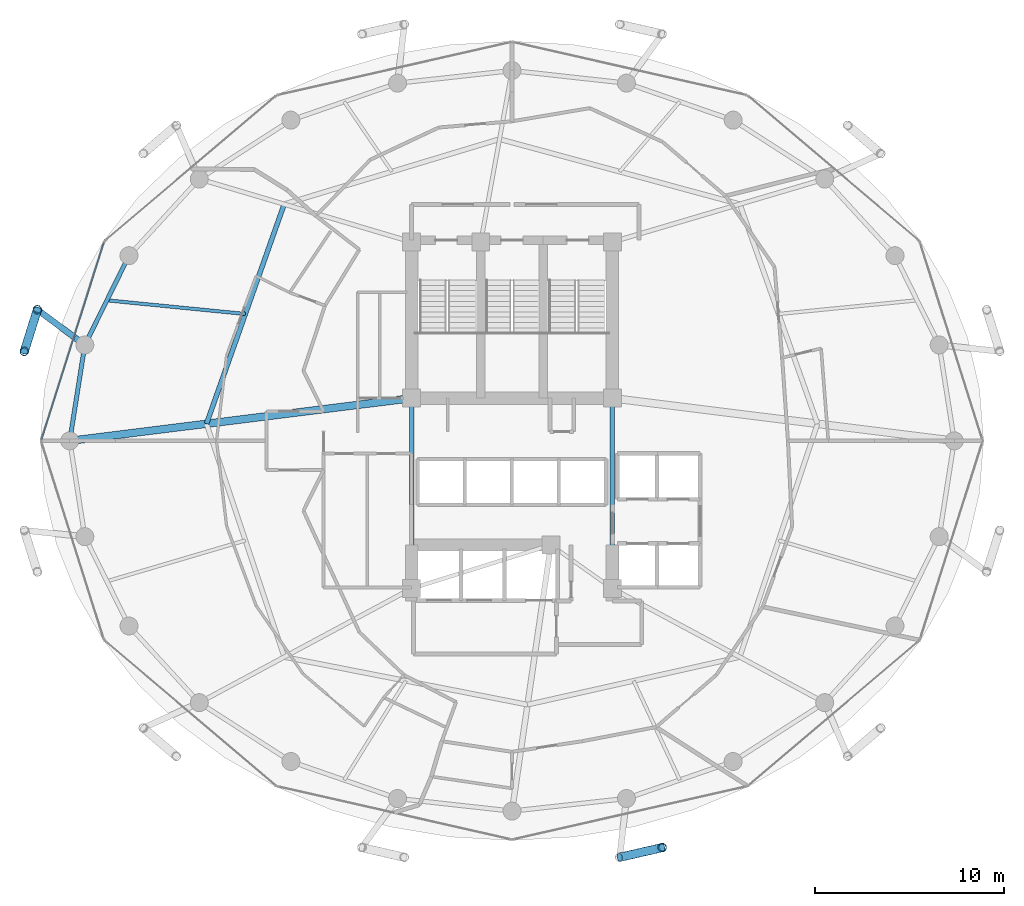
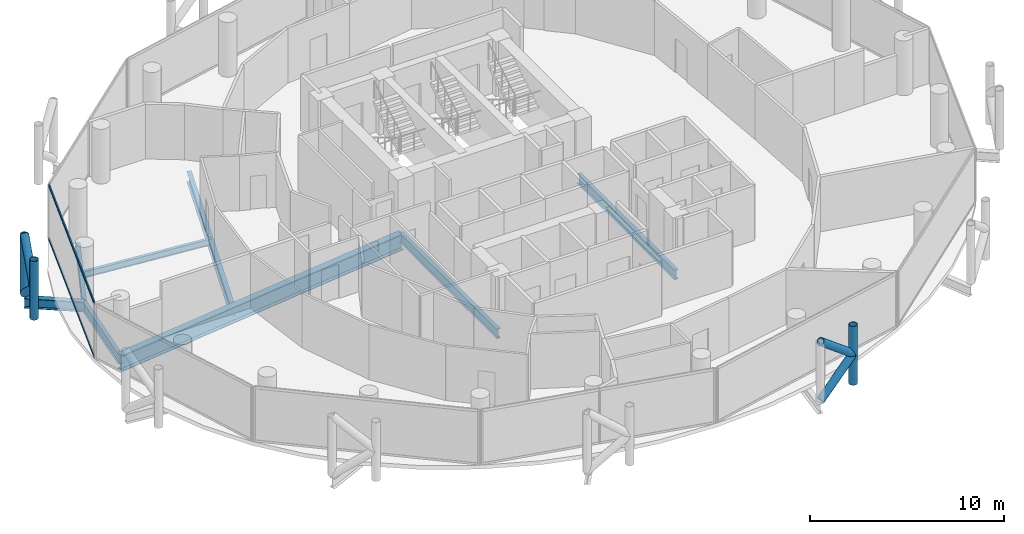
# One storey, part 7 of 26: 9 members, 8 beams, 1 element without a shape of its own.
"""IFC4 building model written with IfcOpenShell, lengths in metres."""

import ifcopenshell
import ifcopenshell.guid

model = None  # the IFC model being written
_history = None  # IfcOwnerHistory: only IFC2X3 demands one
_inside = {}  # id of a spatial element -> (the spatial element, [elements in it])
_under = {}  # id of a project, library or spatial element -> (it, [spatial elements below it])
_declared = {}  # id of a project -> (the project, [libraries it declares])
_typed = {}  # id of a type object -> (the type object, [elements of that type])
_made_of = {}  # id of a material, layer set ... -> (it, [elements and type objects made of it])


def new_model(schema):
    """Start an empty IFC model of exactly this schema.

    Asked for "IFC4X3", IfcOpenShell would pick the latest addendum, in which some entities
    have other attributes; the version numbers below select the first issue.
    IFC2X3 requires an IfcOwnerHistory on every rooted entity: one is made here for all.
    """
    global model, _history
    if schema == "IFC4X3":
        model = ifcopenshell.file(schema_version=(4, 3, 0, 0))
    else:
        model = ifcopenshell.file(schema=schema)
    _inside.clear()
    _under.clear()
    _declared.clear()
    _typed.clear()
    _made_of.clear()
    _history = None
    if model.schema == "IFC2X3":
        org = make("IfcOrganization", Name="unknown")
        user = make(
            "IfcPersonAndOrganization",
            ThePerson=make("IfcPerson", FamilyName="unknown"),
            TheOrganization=org,
        )
        app = make(
            "IfcApplication",
            ApplicationDeveloper=org,
            Version="unknown",
            ApplicationFullName="unknown",
            ApplicationIdentifier="unknown",
        )
        _history = make(
            "IfcOwnerHistory",
            OwningUser=user,
            OwningApplication=app,
            ChangeAction="ADDED",
            CreationDate=0,
        )
    return model


def make(cls, **values):
    """One entity of the class cls with the attributes given. An attribute that is None is left unset."""
    return model.create_entity(
        cls, **{name: value for name, value in values.items() if value is not None}
    )


def rooted(cls, **values):
    """An entity with a GlobalId (a new one), such as an element, a storey or a relation."""
    return make(cls, GlobalId=ifcopenshell.guid.new(), OwnerHistory=_history, **values)


def si_unit(unit_type, name, prefix=None):
    """IfcSIUnit, for example si_unit("LENGTHUNIT", "METRE", prefix="MILLI")."""
    return make("IfcSIUnit", UnitType=unit_type, Prefix=prefix, Name=name)


def assignment(units):
    """IfcUnitAssignment: the units of a project."""
    return None if units is None else make("IfcUnitAssignment", Units=units)


def point(xyz):
    """IfcCartesianPoint."""
    return None if xyz is None else make("IfcCartesianPoint", Coordinates=xyz)


def direction(xyz):
    """IfcDirection."""
    return None if xyz is None else make("IfcDirection", DirectionRatios=xyz)


def frame(location, z_axis=None, x_axis=None):
    """IfcAxis2Placement3D, a coordinate frame: its origin and axes. An axis left out is left unset."""
    return make(
        "IfcAxis2Placement3D",
        Location=point(location),
        Axis=direction(z_axis),
        RefDirection=direction(x_axis),
    )


def frame_2d(location, x_axis=None):
    """IfcAxis2Placement2D, a coordinate frame in the plane: its origin and x axis."""
    return make(
        "IfcAxis2Placement2D", Location=point(location), RefDirection=direction(x_axis)
    )


def origin():
    """The frame at (0, 0, 0) with its axes left unset."""
    return frame((0.0, 0.0, 0.0))


def origin_2d():
    """The frame at (0, 0) in the plane with its x axis left unset."""
    return frame_2d((0.0, 0.0))


def place(relative_to, where):
    """IfcLocalPlacement: puts the frame where relative to a parent placement (None: the world)."""
    return make(
        "IfcLocalPlacement", PlacementRelTo=relative_to, RelativePlacement=where
    )


def context(
    kind, dimensions, precision=None, world=None, true_north=None, identifier=None
):
    """IfcGeometricRepresentationContext, for example the 3D "Model" context."""
    return make(
        "IfcGeometricRepresentationContext",
        ContextIdentifier=identifier,
        ContextType=kind,
        CoordinateSpaceDimension=dimensions,
        Precision=precision,
        WorldCoordinateSystem=world,
        TrueNorth=true_north,
    )


def subcontext(parent, identifier, kind, view, scale=None):
    """IfcGeometricRepresentationSubContext, for example "Body" below "Model"."""
    return make(
        "IfcGeometricRepresentationSubContext",
        ContextIdentifier=identifier,
        ContextType=kind,
        ParentContext=parent,
        TargetScale=scale,
        TargetView=view,
    )


def project(units=None, contexts=None):
    """IfcProject with its units and contexts."""
    return rooted(
        "IfcProject",
        Name="project",
        RepresentationContexts=contexts,
        UnitsInContext=assignment(units),
    )


def spatial(cls, under=None, at=None, **own):
    """A site, building, storey or space (cls), placed at a placement, below another one or the project."""
    s = rooted(cls, ObjectPlacement=at, **own)
    if under is not None:
        _under.setdefault(under.id(), (under, []))[1].append(s)
    return s


def profile(cls, at=None, kind="AREA", **sizes):
    """A parametric profile (cls). Its sizes go by their IFC names, for example OverallWidth=200.0."""
    return make(cls, ProfileType=kind, Position=at, **sizes)


def hollow_rectangle(**sizes):
    """IfcRectangleHollowProfileDef."""
    return profile("IfcRectangleHollowProfileDef", **sizes)


def hollow_circle(**sizes):
    """IfcCircleHollowProfileDef."""
    return profile("IfcCircleHollowProfileDef", **sizes)


def i_section(**sizes):
    """IfcIShapeProfileDef."""
    return profile("IfcIShapeProfileDef", **sizes)


def extrude(swept, where, along, depth):
    """IfcExtrudedAreaSolid: the profile swept, set in the frame where, extruded along a direction by depth."""
    return make(
        "IfcExtrudedAreaSolid",
        SweptArea=swept,
        Position=where,
        ExtrudedDirection=direction(along),
        Depth=depth,
    )


def shape(context_of_items, identifier, shape_type, items):
    """IfcShapeRepresentation: the items that make up one representation, for example the "Body"."""
    return make(
        "IfcShapeRepresentation",
        ContextOfItems=context_of_items,
        RepresentationIdentifier=identifier,
        RepresentationType=shape_type,
        Items=items,
    )


def material(Name=None, Category=None):
    """IfcMaterial."""
    return make("IfcMaterial", Name=Name, Category=Category)


def layer(
    of_material, thickness, ventilated=None, Name=None, Category=None, Priority=None
):
    """IfcMaterialLayer: one layer of a wall or slab, of a material (None: an air gap)."""
    return make(
        "IfcMaterialLayer",
        Material=of_material,
        LayerThickness=thickness,
        IsVentilated=ventilated,
        Name=Name,
        Category=Category,
        Priority=Priority,
    )


def layer_set(layers, Name=None):
    """IfcMaterialLayerSet."""
    return make("IfcMaterialLayerSet", MaterialLayers=layers, LayerSetName=Name)


def material_profile(
    of_material, cross_section, Name=None, Category=None, Priority=None
):
    """IfcMaterialProfile: a cross section and its material."""
    return make(
        "IfcMaterialProfile",
        Name=Name,
        Material=of_material,
        Profile=cross_section,
        Priority=Priority,
        Category=Category,
    )


def profile_set(profiles, Name=None, composite=None):
    """IfcMaterialProfileSet."""
    return make(
        "IfcMaterialProfileSet",
        Name=Name,
        MaterialProfiles=profiles,
        CompositeProfile=composite,
    )


def made_of(thing, what):
    """Note that an element or type object is made of a material, layer set ...; save() writes the relation."""
    if what is not None:
        _made_of.setdefault(what.id(), (what, []))[1].append(thing)
    return thing


def type_object(cls, material=None, **own):
    """A type object (cls), such as IfcWallType, which elements share."""
    return made_of(rooted(cls, **own), material)


def element(
    cls,
    number,
    at=None,
    inside=None,
    cuts=None,
    type_object=None,
    material=None,
    context=None,
    identifier="Body",
    shape_type=None,
    held_by="IfcProductDefinitionShape",
    body=None,
    shapes=None,
    **own,
):
    """One element of the class cls, such as IfcWall. Its Tag is "e" and its number.

    at: its placement. inside: the storey or other place that contains it. cuts: it is an
    opening in that element (IfcRelVoidsElement). A single representation is given by context,
    identifier, shape_type and body (its items); several are given by shapes. held_by: the class
    of the entity that holds the representations. save() writes the other relations.
    """
    e = rooted(cls, Tag="e%d" % number, ObjectPlacement=at, **own)
    if body is not None:
        shapes = [shape(context, identifier, shape_type, body)]
    if shapes is not None:
        e.Representation = make(held_by, Representations=shapes)
    if inside is not None:
        _inside.setdefault(inside.id(), (inside, []))[1].append(e)
    if cuts is not None:
        rooted(
            "IfcRelVoidsElement", RelatingBuildingElement=cuts, RelatedOpeningElement=e
        )
    if type_object is not None:
        _typed.setdefault(type_object.id(), (type_object, []))[1].append(e)
    return made_of(e, material)


def aggregate(whole, parts):
    """IfcRelAggregates: a whole, such as a stair, and the parts it consists of."""
    return rooted("IfcRelAggregates", RelatingObject=whole, RelatedObjects=parts)


def save(model, path):
    """Write the relations noted so far, then the file.

    IfcRelAggregates (storeys below a building ...), IfcRelContainedInSpatialStructure (elements
    in a storey), IfcRelDefinesByType, IfcRelAssociatesMaterial and IfcRelDeclares: one each for
    every whole, place, type object, material and project.
    """
    for whole, parts in _under.values():
        aggregate(whole, parts)
    for where, things in _inside.values():
        rooted(
            "IfcRelContainedInSpatialStructure",
            RelatedElements=things,
            RelatingStructure=where,
        )
    for kind, things in _typed.values():
        rooted("IfcRelDefinesByType", RelatedObjects=things, RelatingType=kind)
    for what, things in _made_of.values():
        rooted("IfcRelAssociatesMaterial", RelatedObjects=things, RelatingMaterial=what)
    for by, libraries in _declared.values():
        rooted("IfcRelDeclares", RelatingContext=by, RelatedDefinitions=libraries)
    model.write(path)


model = new_model("IFC4")

# Units and contexts
model_context = context("Model", 3, precision=1e-05, world=origin(), true_north=direction((0.0, 1.0)))
body_context = subcontext(model_context, "Body", "Model", "MODEL_VIEW")
ifc_project = project(units=[si_unit("LENGTHUNIT", "METRE"), si_unit("AREAUNIT", "SQUARE_METRE"), si_unit("VOLUMEUNIT", "CUBIC_METRE"), si_unit("PLANEANGLEUNIT", "RADIAN"), si_unit("MASSUNIT", "GRAM", prefix="KILO")], contexts=[model_context])

# Site, building, storey
site_placement = place(None, origin())
site = spatial("IfcSite", under=ifc_project, at=site_placement, CompositionType="ELEMENT")
building_placement = place(site_placement, origin())
building = spatial("IfcBuilding", under=site, at=building_placement, Name="Nuhasar Tower", CompositionType="ELEMENT")
storey_placement = place(building_placement, frame((0.0, 0.0, 173.75)))
storey = spatial("IfcBuildingStorey", under=building, at=storey_placement, Name="L42", CompositionType="ELEMENT", Elevation=173.75)

# Beams
ifc_material_1 = material(Name="Steel S355", Category="steel")
ifc_material_profile_1 = material_profile(ifc_material_1, i_section(OverallWidth=0.25390625, OverallDepth=0.68408203125, WebThickness=0.012451171875, FlangeThickness=0.018798828125, at=origin_2d()), Name="W27X94")
ifc_profile_set_1 = profile_set([ifc_material_profile_1], Name="Steel S355")
beam_type_1 = type_object("IfcBeamType", Name="BM-INRING-W27X94", PredefinedType="BEAM", material=ifc_profile_set_1)
beam_1_placement = place(storey_placement, frame((26.972900390625, 39.2939453125, -0.592041015625), z_axis=(-0.333599821096, -0.942714781556, 0.0), x_axis=(0.942714781556, -0.333599821096, 0.0)))
element("IfcBeam", 1, at=beam_1_placement, inside=storey, type_object=beam_type_1, Name="L42 Inner Header Beam 07", PredefinedType="BEAM", context=body_context, shape_type="SweptSolid", body=[
    extrude(i_section(OverallWidth=0.25390625, OverallDepth=0.68408203125, WebThickness=0.012451171875, FlangeThickness=0.018798828125, at=origin_2d()), origin(), (0.0, 0.0, 1.0), 12.298583984375),
])
ifc_material_profile_2 = material_profile(ifc_material_1, i_section(OverallWidth=0.177978515625, OverallDepth=0.406005859375, WebThickness=0.0078125, FlangeThickness=0.0126953125, at=origin_2d()), Name="W16X40")
ifc_profile_set_2 = profile_set([ifc_material_profile_2], Name="Steel S355")
beam_type_2 = type_object("IfcBeamType", Name="BM-JST-W16X40", PredefinedType="JOIST", material=ifc_profile_set_2)
beam_2_placement = place(storey_placement, frame((24.922119140625, 33.4970703125, -0.452880859375), z_axis=(-0.995171845755, 0.098147834497, 0.0), x_axis=(-0.098147834497, -0.995171845755, 0.0)))
element("IfcBeam", 2, at=beam_2_placement, inside=storey, type_object=beam_type_2, Name="L42 Secondary Floor Joist 07", PredefinedType="JOIST", context=body_context, shape_type="SweptSolid", body=[
    extrude(i_section(OverallWidth=0.177978515625, OverallDepth=0.406005859375, WebThickness=0.0078125, FlangeThickness=0.0126953125, at=origin_2d()), origin(), (0.0, 0.0, 1.0), 7.345458984375),
])
ifc_material_profile_3 = material_profile(ifc_material_1, i_section(OverallWidth=0.22900390625, OverallDepth=0.612060546875, WebThickness=0.011962890625, FlangeThickness=0.01953125, at=origin_2d()), Name="W24X84")
ifc_profile_set_3 = profile_set([ifc_material_profile_3], Name="Steel S355")
beam_type_3 = type_object("IfcBeamType", Name="BM-RAD-W24X84", PredefinedType="BEAM", material=ifc_profile_set_3)
for number, where, z_axis, x_axis, name in (
    (3, (44.300048828125, 19.0, -0.555908203125), (0.0, 1.0, 0.0), (-1.0, 0.0, 0.0), "L42 Core Ring Girder 3"),
    (4, (33.699951171875, 29.050048828125, -0.555908203125), (0.0, -1.0, 0.0), (1.0, 0.0, 0.0), "L42 Core Ring Girder 8"),
):
    element("IfcBeam", number, at=place(storey_placement, frame(where, z_axis=z_axis, x_axis=x_axis)), inside=storey, type_object=beam_type_3, Name=name, PredefinedType="BEAM", context=body_context, shape_type="SweptSolid", body=[
        extrude(i_section(OverallWidth=0.22900390625, OverallDepth=0.612060546875, WebThickness=0.011962890625, FlangeThickness=0.01953125, at=origin_2d()), origin(), (0.0, 0.0, 1.0), 10.050048828125),
    ])
ifc_material_profile_4 = material_profile(ifc_material_1, i_section(OverallWidth=0.22998046875, OverallDepth=0.616943359375, WebThickness=0.01318359375, FlangeThickness=0.022216796875, at=origin_2d()), Name="W24X94")
ifc_profile_set_4 = profile_set([ifc_material_profile_4], Name="Steel S355")
beam_type_4 = type_object("IfcBeamType", Name="BM-RING-W24X94", PredefinedType="SPANDREL", material=ifc_profile_set_4)
beam_3_placement = place(storey_placement, frame((18.778076171875, 36.574951171875, -0.55908203125), z_axis=(-0.443347771709, -0.896349682501, 0.0), x_axis=(0.896349682501, -0.443347771709, 0.0)))
element("IfcBeam", 5, at=beam_3_placement, inside=storey, type_object=beam_type_4, Name="L42 Perimeter Ring Spandrel 11", PredefinedType="SPANDREL", context=body_context, shape_type="SweptSolid", body=[
    extrude(i_section(OverallWidth=0.22998046875, OverallDepth=0.616943359375, WebThickness=0.01318359375, FlangeThickness=0.022216796875, at=origin_2d()), origin(), (0.0, 0.0, 1.0), 5.260009765625),
])
beam_4_placement = place(storey_placement, frame((16.446044921875, 31.860107421875, -0.55908203125), z_axis=(-0.155426543608, -0.987847452566, 0.0), x_axis=(0.987847452566, -0.155426543608, 0.0)))
element("IfcBeam", 6, at=beam_4_placement, inside=storey, type_object=beam_type_4, Name="L42 Perimeter Ring Spandrel 12", PredefinedType="SPANDREL", context=body_context, shape_type="SweptSolid", body=[
    extrude(i_section(OverallWidth=0.22998046875, OverallDepth=0.616943359375, WebThickness=0.01318359375, FlangeThickness=0.022216796875, at=origin_2d()), origin(), (0.0, 0.0, 1.0), 5.122314453125),
])
ifc_material_profile_5 = material_profile(ifc_material_1, i_section(OverallWidth=0.323974609375, OverallDepth=0.611083984375, WebThickness=0.0126953125, FlangeThickness=0.01904296875, at=origin_2d()), Name="W24X104")
ifc_profile_set_5 = profile_set([ifc_material_profile_5], Name="Steel S355")
beam_type_5 = type_object("IfcBeamType", Name="BM-TIE-W24X104", PredefinedType="BEAM", material=ifc_profile_set_5)
beam_5_placement = place(storey_placement, frame((16.446044921875, 31.860107421875, -0.554931640625), z_axis=(-0.802872198291, 0.596151183183, 0.0), x_axis=(-0.596151183183, -0.802872198291, 0.0)))
element("IfcBeam", 7, at=beam_5_placement, inside=storey, type_object=beam_type_5, Name="L42 Exoskeleton Node Tie Beam 06", PredefinedType="BEAM", context=body_context, shape_type="SweptSolid", body=[
    extrude(i_section(OverallWidth=0.323974609375, OverallDepth=0.611083984375, WebThickness=0.0126953125, FlangeThickness=0.01904296875, at=origin_2d()), origin(), (0.0, 0.0, 1.0), 3.121337890625),
])
ifc_material_2 = material(Name="Steel S460", Category="steel")
ifc_material_profile_6 = material_profile(ifc_material_2, i_section(OverallWidth=0.40087890625, OverallDepth=1.010009765625, WebThickness=0.023681640625, FlangeThickness=0.0419921875, at=origin_2d()), Name="W40X297")
ifc_profile_set_6 = profile_set([ifc_material_profile_6], Name="Steel S460")
beam_type_6 = type_object("IfcBeamType", Name="BM-XFER-W40X297", PredefinedType="USERDEFINED", material=ifc_profile_set_6)
beam_6_placement = place(storey_placement, frame((33.699951171875, 29.050048828125, -0.7548828125), z_axis=(-0.992320149485, -0.123696082908, 0.0), x_axis=(0.123696082908, -0.992320149485, 0.0)))
element("IfcBeam", 8, at=beam_6_placement, inside=storey, type_object=beam_type_6, Name="L42 Radial Floor Girder 08", ObjectType="GIRDER", PredefinedType="USERDEFINED", context=body_context, shape_type="SweptSolid", body=[
    extrude(i_section(OverallWidth=0.40087890625, OverallDepth=1.010009765625, WebThickness=0.023681640625, FlangeThickness=0.0419921875, at=origin_2d()), origin(), (0.0, 0.0, 1.0), 18.189697265625),
])

# Curtain wall, members
ifc_material_3 = material(Name="Aluminium 6063-T6", Category="aluminium")
ifc_layer = layer(ifc_material_3, 0.199951171875)
ifc_layer_set = layer_set([ifc_layer], Name="Aluminium 6063-T6")
curtain_wall_type = type_object("IfcCurtainWallType", Name="CW-Z2-HTL", PredefinedType="NOTDEFINED", material=ifc_layer_set)
curtain_wall_placement = place(storey_placement, origin())
curtain_wall = element("IfcCurtainWall", 9, at=curtain_wall_placement, inside=storey, type_object=curtain_wall_type, Name="L42 Unitised Curtain Wall 06", PredefinedType="NOTDEFINED")
ifc_material_profile_7 = material_profile(ifc_material_3, hollow_rectangle(XDim=0.070068359375, YDim=0.159912109375, WallThickness=0.00439453125, at=origin_2d()), Name="CWT-3")
ifc_profile_set_7 = profile_set([ifc_material_profile_7], Name="Aluminium 6063-T6")
member_type_1 = type_object("IfcMemberType", Name="CW-TRN-S3", PredefinedType="USERDEFINED", material=ifc_profile_set_7)
member_1_placement = place(storey_placement, frame((17.449951171875, 37.26318359375, 0.034912109375), z_axis=(-0.301608163352, -0.953431967053, 0.0), x_axis=(0.953431967053, -0.301608163352, 0.0)))
member_1 = element("IfcMember", 10, at=member_1_placement, type_object=member_type_1, Name="CW-Z2 transom 1.1", ObjectType="TRANSOM", PredefinedType="USERDEFINED", context=body_context, shape_type="SweptSolid", body=[
    extrude(hollow_rectangle(XDim=0.070068359375, YDim=0.159912109375, WallThickness=0.00439453125, at=origin_2d()), origin(), (0.0, 0.0, 1.0), 10.904296875),
])
member_2_placement = place(storey_placement, frame((17.449951171875, 37.26318359375, 3.4150390625), z_axis=(-0.301608163352, -0.953431967053, 0.0), x_axis=(0.953431967053, -0.301608163352, 0.0)))
member_2 = element("IfcMember", 11, at=member_2_placement, type_object=member_type_1, Name="CW-Z2 transom 1.2", ObjectType="TRANSOM", PredefinedType="USERDEFINED", context=body_context, shape_type="SweptSolid", body=[
    extrude(hollow_rectangle(XDim=0.070068359375, YDim=0.159912109375, WallThickness=0.00439453125, at=origin_2d()), origin(), (0.0, 0.0, 1.0), 10.904296875),
])
aggregate(curtain_wall, [member_1, member_2])

# Members
ifc_material_profile_8 = material_profile(ifc_material_2, hollow_circle(Radius=0.228515625, WallThickness=0.022216796875, at=origin_2d()), Name="HSS457X22.2")
ifc_profile_set_8 = profile_set([ifc_material_profile_8], Name="Steel S460")
member_type_2 = type_object("IfcMemberType", Name="EXO-BRONZE-457", PredefinedType="BRACE", material=ifc_profile_set_8)
for number, where, z_axis, x_axis, name in (
    (12, (13.93994140625, 33.720947265625, 0.0), (0.0, 0.0, 1.0), (1.0, 0.0, 0.0), "L42 Exoskeleton Chord Column EC-06A"),
    (13, (13.251953125, 31.52587890625, 0.0), (0.0, 0.0, 1.0), (1.0, 0.0, 0.0), "L42 Exoskeleton Chord Column EC-06B"),
    (14, (46.927978515625, 5.323974609375, 0.0), (0.0, 0.0, 1.0), (1.0, 0.0, 0.0), "L42 Exoskeleton Chord Column EC-10B"),
):
    element("IfcMember", number, at=place(storey_placement, frame(where, z_axis=z_axis, x_axis=x_axis)), inside=storey, type_object=member_type_2, Name=name, PredefinedType="BRACE", context=body_context, shape_type="SweptSolid", body=[
        extrude(hollow_circle(Radius=0.228515625, WallThickness=0.022216796875, at=origin_2d()), origin(), (0.0, 0.0, 1.0), 3.699951171875),
    ])
member_3_placement = place(storey_placement, frame((13.93994140625, 33.720947265625, 0.0), z_axis=(-0.233055548538, -0.743577869731, 0.626719285599), x_axis=(0.954228474306, -0.29907861646, 0.0)))
element("IfcMember", 15, at=member_3_placement, inside=storey, type_object=member_type_2, Name="L42 Bronze Diagrid Brace W1-06", PredefinedType="BRACE", context=body_context, shape_type="SweptSolid", body=[
    extrude(hollow_circle(Radius=0.228515625, WallThickness=0.022216796875, at=origin_2d()), origin(), (0.0, 0.0, 1.0), 2.9521484375),
])
for number, where, z_axis, x_axis, name in (
    (16, (13.251953125, 31.52587890625, 1.85009765625), (0.233067628236, 0.74361641074, 0.626669062861), (-0.954228474306, 0.29907861646, 0.0), "L42 Bronze Diagrid Brace W2-06"),
    (17, (44.68603515625, 4.81005859375, 0.0), (0.759510488094, 0.174101010284, 0.626763637022), (-0.223432882746, 0.974719316987, 0.0), "L42 Bronze Diagrid Brace W1-10"),
):
    element("IfcMember", number, at=place(storey_placement, frame(where, z_axis=z_axis, x_axis=x_axis)), inside=storey, type_object=member_type_2, Name=name, PredefinedType="BRACE", context=body_context, shape_type="SweptSolid", body=[
        extrude(hollow_circle(Radius=0.228515625, WallThickness=0.022216796875, at=origin_2d()), origin(), (0.0, 0.0, 1.0), 2.951904296875),
    ])
member_4_placement = place(storey_placement, frame((46.927978515625, 5.323974609375, 1.85009765625), z_axis=(-0.759549860492, -0.174110035537, 0.626713415327), x_axis=(0.223432882746, -0.974719316987, 0.0)))
element("IfcMember", 18, at=member_4_placement, inside=storey, type_object=member_type_2, Name="L42 Bronze Diagrid Brace W2-10", PredefinedType="BRACE", context=body_context, shape_type="SweptSolid", body=[
    extrude(hollow_circle(Radius=0.228515625, WallThickness=0.022216796875, at=origin_2d()), origin(), (0.0, 0.0, 1.0), 2.95166015625),
])

save(model, "model.ifc")
